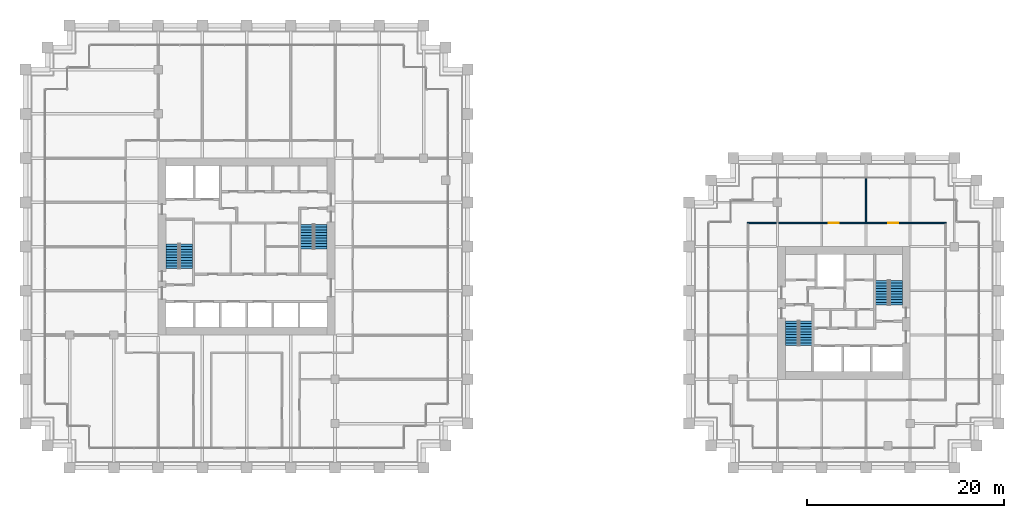
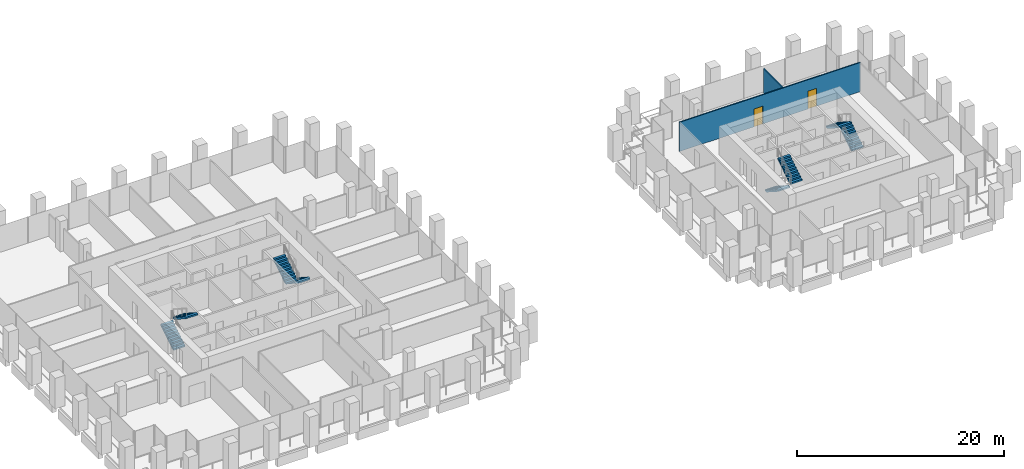
# One storey, part 54 of 56: 8 stair flights, 2 doors, 2 walls, 2 openings, 4 elements without a shape of their own.
"""IFC4 building model written with IfcOpenShell, lengths in metres."""

from ifc_helpers import new_model, si_unit, direction, frame, frame_2d, origin, place, context, subcontext, project, spatial, polyline, rectangle, outline, extrude, material, layer, layer_set, type_object, element, fill, aggregate, save


model = new_model("IFC4")

# Units and contexts
model_context = context("Model", 3, precision=1e-05, world=origin(), true_north=direction((0.0, 1.0)))
body_context = subcontext(model_context, "Body", "Model", "MODEL_VIEW")
ifc_project = project(units=[si_unit("LENGTHUNIT", "METRE"), si_unit("AREAUNIT", "SQUARE_METRE"), si_unit("VOLUMEUNIT", "CUBIC_METRE"), si_unit("PLANEANGLEUNIT", "RADIAN"), si_unit("MASSUNIT", "GRAM", prefix="KILO")], contexts=[model_context])

# Site, building, storey
site_placement = place(None, origin())
site = spatial("IfcSite", under=ifc_project, at=site_placement, CompositionType="ELEMENT")
building_placement = place(site_placement, origin())
building = spatial("IfcBuilding", under=site, at=building_placement, Name="Altepetl Exchange Towers", CompositionType="ELEMENT")
storey_placement = place(building_placement, frame((0.0, 0.0, 72.60009765625)))
storey = spatial("IfcBuildingStorey", under=building, at=storey_placement, Name="L17", CompositionType="ELEMENT", Elevation=72.60009765625)

# Wall, openings, doors
ifc_material_1 = material(Name="Gypsum board on steel studs", Category="steel")
ifc_layer = layer(ifc_material_1, 0.125)
ifc_layer_set = layer_set([ifc_layer], Name="Gypsum board on steel studs")
wall_type = type_object("IfcWallType", Name="Partition 125 gypsum board on steel studs", PredefinedType="PARTITIONING", material=ifc_layer_set)
wall_1_placement = place(storey_placement, frame((100.4375, 51.89990234375, 0.0)))
wall_1 = element("IfcWall", 1, at=wall_1_placement, inside=storey, type_object=wall_type, Name="wall:B:L17:P06", PredefinedType="PARTITIONING", context=body_context, shape_type="SweptSolid", body=[
    extrude(rectangle(XDim=20.22509765625, YDim=0.125, at=frame_2d((10.112548828125, 0.0))), origin(), (0.0, 0.0, 1.0), 3.449951171875),
])
opening_1_placement = place(wall_1_placement, frame((14.33251953125, 0.0, 0.0)))
opening_1 = element("IfcOpeningElement", 2, at=opening_1_placement, cuts=wall_1, Name="Opening L17.B05", PredefinedType="OPENING", context=body_context, shape_type="SweptSolid", body=[
    extrude(rectangle(XDim=1.0, YDim=2.10009765625, at=frame_2d((0.5, 1.050048828125))), frame((0.0, 0.072509765625, 0.0), z_axis=(0.0, -1.0, 0.0), x_axis=(1.0, 0.0, 0.0)), (0.0, 0.0, 1.0), 0.14501953125),
])
opening_2_placement = place(wall_1_placement, frame((8.305419921875, 0.0, 0.0)))
opening_2 = element("IfcOpeningElement", 3, at=opening_2_placement, cuts=wall_1, Name="Opening L17.B06", PredefinedType="OPENING", context=body_context, shape_type="SweptSolid", body=[
    extrude(rectangle(XDim=1.0, YDim=2.10009765625, at=frame_2d((0.5, 1.050048828125))), frame((0.0, 0.072509765625, 0.0), z_axis=(0.0, -1.0, 0.0), x_axis=(1.0, 0.0, 0.0)), (0.0, 0.0, 1.0), 0.14501953125),
])
ifc_material_2 = material(Name="Steel and timber fire door", Category="steel")
door_type = type_object("IfcDoorType", Name="Fire door 1000 x 2100 single leaf", OperationType="SINGLE_SWING_LEFT", PredefinedType="DOOR", material=ifc_material_2)
door_1_placement = place(opening_1_placement, frame((1.0, 0.0, 0.0), x_axis=(-1.0, 0.0, 0.0)))
door_1 = element("IfcDoor", 4, at=door_1_placement, inside=storey, type_object=door_type, Name="door:B:L17:05", OperationType="SINGLE_SWING_LEFT", OverallHeight=2.10009765625, OverallWidth=1.0, PredefinedType="DOOR", context=body_context, shape_type="SweptSolid", body=[
    extrude(rectangle(XDim=1.0, YDim=2.10009765625, at=frame_2d((0.5, 1.050048828125))), frame((0.0, 0.02490234375, 0.0), z_axis=(0.0, -1.0, 0.0), x_axis=(1.0, 0.0, 0.0)), (0.0, 0.0, 1.0), 0.050048828125),
])
fill(opening_1, door_1)
door_2_placement = place(opening_2_placement, origin())
door_2 = element("IfcDoor", 5, at=door_2_placement, inside=storey, type_object=door_type, Name="door:B:L17:06", OperationType="SINGLE_SWING_RIGHT", OverallHeight=2.10009765625, OverallWidth=1.0, PredefinedType="DOOR", context=body_context, shape_type="SweptSolid", body=[
    extrude(rectangle(XDim=1.0, YDim=2.10009765625, at=frame_2d((0.5, 1.050048828125))), frame((0.0, 0.02490234375, 0.0), z_axis=(0.0, -1.0, 0.0), x_axis=(1.0, 0.0, 0.0)), (0.0, 0.0, 1.0), 0.050048828125),
])
fill(opening_2, door_2)

# Wall
wall_2_placement = place(storey_placement, frame((112.5, 51.89990234375, 0.0), z_axis=(0.0, 0.0, 1.0), x_axis=(0.0, 1.0, 0.0)))
element("IfcWall", 6, at=wall_2_placement, inside=storey, type_object=wall_type, Name="wall:B:L17:P12", PredefinedType="PARTITIONING", context=body_context, shape_type="SweptSolid", body=[
    extrude(rectangle(XDim=4.5, YDim=0.125, at=frame_2d((2.25, 0.0))), origin(), (0.0, 0.0, 1.0), 2.850830078125),
])

# Stair, stair flights
ifc_material_3 = material(Name="Concrete C40/50", Category="concrete")
stair_type = type_object("IfcStairType", Name="Exit stair 1300 flights dogleg", PredefinedType="HALF_TURN_STAIR", material=ifc_material_3)
stair_1_placement = place(storey_placement, origin())
stair_1 = element("IfcStair", 7, at=stair_1_placement, inside=storey, type_object=stair_type, Name="Exit stair 1", PredefinedType="HALF_TURN_STAIR")
stair_flight_type = type_object("IfcStairFlightType", Name="Stair flight 1300 wide", PredefinedType="STRAIGHT", material=ifc_material_3)
stair_flight_1_placement = place(storey_placement, frame((41.949951171875, 47.25, 0.0), z_axis=(0.0, 0.0, 1.0), x_axis=(0.0, 1.0, 0.0)))
stair_flight_1 = element("IfcStairFlight", 8, at=stair_flight_1_placement, type_object=stair_flight_type, Name="ST-A1c flight 1", NumberOfRisers=10, NumberOfTreads=9, PredefinedType="STRAIGHT", RiserHeight=0.18, TreadLength=0.28, context=body_context, shape_type="SweptSolid", body=[
    extrude(outline(polyline([(0.0, 0.0), (0.0, 0.179931640625), (0.280029296875, 0.179931640625), (0.280029296875, 0.360107421875), (0.56005859375, 0.360107421875), (0.56005859375, 0.5400390625), (0.840087890625, 0.5400390625), (0.840087890625, 0.719970703125), (1.1201171875, 0.719970703125), (1.1201171875, 0.89990234375), (1.39990234375, 0.89990234375), (1.39990234375, 1.080078125), (1.679931640625, 1.080078125), (1.679931640625, 1.260009765625), (1.9599609375, 1.260009765625), (1.9599609375, 1.43994140625), (2.239990234375, 1.43994140625), (2.239990234375, 1.6201171875), (2.52001953125, 1.6201171875), (2.52001953125, 1.800048828125), (2.52001953125, 1.44189453125), (0.277099609375, 0.0), (0.0, 0.0)])), frame((0.0, 0.64990234375, 0.0), z_axis=(0.0, -1.0, 0.0), x_axis=(1.0, 0.0, 0.0)), (0.0, 0.0, 1.0), 1.300048828125),
])
stair_flight_2_placement = place(storey_placement, frame((43.35009765625, 49.77001953125, 1.7998046875), z_axis=(0.0, 0.0, 1.0), x_axis=(0.0, -1.0, 0.0)))
stair_flight_2 = element("IfcStairFlight", 9, at=stair_flight_2_placement, type_object=stair_flight_type, Name="ST-A1c flight 2", NumberOfRisers=10, NumberOfTreads=9, PredefinedType="STRAIGHT", RiserHeight=0.18, TreadLength=0.28, context=body_context, shape_type="SweptSolid", body=[
    extrude(outline(polyline([(0.0, 0.0), (0.0, 0.179931640625), (0.280029296875, 0.179931640625), (0.280029296875, 0.360107421875), (0.56005859375, 0.360107421875), (0.56005859375, 0.5400390625), (0.840087890625, 0.5400390625), (0.840087890625, 0.719970703125), (1.1201171875, 0.719970703125), (1.1201171875, 0.89990234375), (1.39990234375, 0.89990234375), (1.39990234375, 1.080078125), (1.679931640625, 1.080078125), (1.679931640625, 1.260009765625), (1.9599609375, 1.260009765625), (1.9599609375, 1.43994140625), (2.239990234375, 1.43994140625), (2.239990234375, 1.6201171875), (2.52001953125, 1.6201171875), (2.52001953125, 1.800048828125), (2.52001953125, 1.44189453125), (0.277099609375, 0.0), (0.0, 0.0)])), frame((0.0, 0.64990234375, 0.0), z_axis=(0.0, -1.0, 0.0), x_axis=(1.0, 0.0, 0.0)), (0.0, 0.0, 1.0), 1.300048828125),
])
aggregate(stair_1, [stair_flight_1, stair_flight_2])

stair_2_placement = place(storey_placement, origin())
stair_2 = element("IfcStair", 10, at=stair_2_placement, inside=storey, type_object=stair_type, Name="Exit stair 2", PredefinedType="HALF_TURN_STAIR")
stair_flight_3_placement = place(storey_placement, frame((57.050048828125, 51.75, 0.0), z_axis=(0.0, 0.0, 1.0), x_axis=(0.0, -1.0, 0.0)))
stair_flight_3 = element("IfcStairFlight", 11, at=stair_flight_3_placement, type_object=stair_flight_type, Name="ST-A2c flight 1", NumberOfRisers=10, NumberOfTreads=9, PredefinedType="STRAIGHT", RiserHeight=0.18, TreadLength=0.28, context=body_context, shape_type="SweptSolid", body=[
    extrude(outline(polyline([(0.0, 0.0), (0.0, 0.179931640625), (0.280029296875, 0.179931640625), (0.280029296875, 0.360107421875), (0.56005859375, 0.360107421875), (0.56005859375, 0.5400390625), (0.840087890625, 0.5400390625), (0.840087890625, 0.719970703125), (1.1201171875, 0.719970703125), (1.1201171875, 0.89990234375), (1.39990234375, 0.89990234375), (1.39990234375, 1.080078125), (1.679931640625, 1.080078125), (1.679931640625, 1.260009765625), (1.9599609375, 1.260009765625), (1.9599609375, 1.43994140625), (2.239990234375, 1.43994140625), (2.239990234375, 1.6201171875), (2.52001953125, 1.6201171875), (2.52001953125, 1.800048828125), (2.52001953125, 1.44189453125), (0.277099609375, 0.0), (0.0, 0.0)])), frame((0.0, 0.64990234375, 0.0), z_axis=(0.0, -1.0, 0.0), x_axis=(1.0, 0.0, 0.0)), (0.0, 0.0, 1.0), 1.300048828125),
])
stair_flight_4_placement = place(storey_placement, frame((55.64990234375, 49.22998046875, 1.7998046875), z_axis=(0.0, 0.0, 1.0), x_axis=(0.0, 1.0, 0.0)))
stair_flight_4 = element("IfcStairFlight", 12, at=stair_flight_4_placement, type_object=stair_flight_type, Name="ST-A2c flight 2", NumberOfRisers=10, NumberOfTreads=9, PredefinedType="STRAIGHT", RiserHeight=0.18, TreadLength=0.28, context=body_context, shape_type="SweptSolid", body=[
    extrude(outline(polyline([(0.0, 0.0), (0.0, 0.179931640625), (0.280029296875, 0.179931640625), (0.280029296875, 0.360107421875), (0.56005859375, 0.360107421875), (0.56005859375, 0.5400390625), (0.840087890625, 0.5400390625), (0.840087890625, 0.719970703125), (1.1201171875, 0.719970703125), (1.1201171875, 0.89990234375), (1.39990234375, 0.89990234375), (1.39990234375, 1.080078125), (1.679931640625, 1.080078125), (1.679931640625, 1.260009765625), (1.9599609375, 1.260009765625), (1.9599609375, 1.43994140625), (2.239990234375, 1.43994140625), (2.239990234375, 1.6201171875), (2.52001953125, 1.6201171875), (2.52001953125, 1.800048828125), (2.52001953125, 1.44189453125), (0.277099609375, 0.0), (0.0, 0.0)])), frame((0.0, 0.64990234375, 0.0), z_axis=(0.0, -1.0, 0.0), x_axis=(1.0, 0.0, 0.0)), (0.0, 0.0, 1.0), 1.300048828125),
])
aggregate(stair_2, [stair_flight_3, stair_flight_4])

stair_3_placement = place(storey_placement, origin())
stair_3 = element("IfcStair", 13, at=stair_3_placement, inside=storey, type_object=stair_type, Name="Exit stair 1", PredefinedType="HALF_TURN_STAIR")
stair_flight_5_placement = place(storey_placement, frame((104.949951171875, 41.949951171875, 0.0), z_axis=(0.0, 0.0, 1.0), x_axis=(0.0, -1.0, 0.0)))
stair_flight_5 = element("IfcStairFlight", 14, at=stair_flight_5_placement, type_object=stair_flight_type, Name="ST-B1c flight 1", NumberOfRisers=10, NumberOfTreads=9, PredefinedType="STRAIGHT", RiserHeight=0.18, TreadLength=0.28, context=body_context, shape_type="SweptSolid", body=[
    extrude(outline(polyline([(0.0, 0.0), (0.0, 0.179931640625), (0.280029296875, 0.179931640625), (0.280029296875, 0.360107421875), (0.56005859375, 0.360107421875), (0.56005859375, 0.5400390625), (0.840087890625, 0.5400390625), (0.840087890625, 0.719970703125), (1.1201171875, 0.719970703125), (1.1201171875, 0.89990234375), (1.39990234375, 0.89990234375), (1.39990234375, 1.080078125), (1.679931640625, 1.080078125), (1.679931640625, 1.260009765625), (1.9599609375, 1.260009765625), (1.9599609375, 1.43994140625), (2.239990234375, 1.43994140625), (2.239990234375, 1.6201171875), (2.52001953125, 1.6201171875), (2.52001953125, 1.800048828125), (2.52001953125, 1.44189453125), (0.277099609375, 0.0), (0.0, 0.0)])), frame((0.0, 0.64990234375, 0.0), z_axis=(0.0, -1.0, 0.0), x_axis=(1.0, 0.0, 0.0)), (0.0, 0.0, 1.0), 1.300048828125),
])
stair_flight_6_placement = place(storey_placement, frame((106.35009765625, 39.429931640625, 1.7998046875), z_axis=(0.0, 0.0, 1.0), x_axis=(0.0, 1.0, 0.0)))
stair_flight_6 = element("IfcStairFlight", 15, at=stair_flight_6_placement, type_object=stair_flight_type, Name="ST-B1c flight 2", NumberOfRisers=10, NumberOfTreads=9, PredefinedType="STRAIGHT", RiserHeight=0.18, TreadLength=0.28, context=body_context, shape_type="SweptSolid", body=[
    extrude(outline(polyline([(0.0, 0.0), (0.0, 0.179931640625), (0.280029296875, 0.179931640625), (0.280029296875, 0.360107421875), (0.56005859375, 0.360107421875), (0.56005859375, 0.5400390625), (0.840087890625, 0.5400390625), (0.840087890625, 0.719970703125), (1.1201171875, 0.719970703125), (1.1201171875, 0.89990234375), (1.39990234375, 0.89990234375), (1.39990234375, 1.080078125), (1.679931640625, 1.080078125), (1.679931640625, 1.260009765625), (1.9599609375, 1.260009765625), (1.9599609375, 1.43994140625), (2.239990234375, 1.43994140625), (2.239990234375, 1.6201171875), (2.52001953125, 1.6201171875), (2.52001953125, 1.800048828125), (2.52001953125, 1.44189453125), (0.277099609375, 0.0), (0.0, 0.0)])), frame((0.0, 0.64990234375, 0.0), z_axis=(0.0, -1.0, 0.0), x_axis=(1.0, 0.0, 0.0)), (0.0, 0.0, 1.0), 1.300048828125),
])
aggregate(stair_3, [stair_flight_5, stair_flight_6])

stair_4_placement = place(storey_placement, origin())
stair_4 = element("IfcStair", 16, at=stair_4_placement, inside=storey, type_object=stair_type, Name="Exit stair 2", PredefinedType="HALF_TURN_STAIR")
stair_flight_7_placement = place(storey_placement, frame((115.550048828125, 43.550048828125, 0.0), z_axis=(0.0, 0.0, 1.0), x_axis=(0.0, 1.0, 0.0)))
stair_flight_7 = element("IfcStairFlight", 17, at=stair_flight_7_placement, type_object=stair_flight_type, Name="ST-B2c flight 1", NumberOfRisers=10, NumberOfTreads=9, PredefinedType="STRAIGHT", RiserHeight=0.18, TreadLength=0.28, context=body_context, shape_type="SweptSolid", body=[
    extrude(outline(polyline([(0.0, 0.0), (0.0, 0.179931640625), (0.280029296875, 0.179931640625), (0.280029296875, 0.360107421875), (0.56005859375, 0.360107421875), (0.56005859375, 0.5400390625), (0.840087890625, 0.5400390625), (0.840087890625, 0.719970703125), (1.1201171875, 0.719970703125), (1.1201171875, 0.89990234375), (1.39990234375, 0.89990234375), (1.39990234375, 1.080078125), (1.679931640625, 1.080078125), (1.679931640625, 1.260009765625), (1.9599609375, 1.260009765625), (1.9599609375, 1.43994140625), (2.239990234375, 1.43994140625), (2.239990234375, 1.6201171875), (2.52001953125, 1.6201171875), (2.52001953125, 1.800048828125), (2.52001953125, 1.44189453125), (0.277099609375, 0.0), (0.0, 0.0)])), frame((0.0, 0.64990234375, 0.0), z_axis=(0.0, -1.0, 0.0), x_axis=(1.0, 0.0, 0.0)), (0.0, 0.0, 1.0), 1.300048828125),
])
stair_flight_8_placement = place(storey_placement, frame((114.14990234375, 46.070068359375, 1.7998046875), z_axis=(0.0, 0.0, 1.0), x_axis=(0.0, -1.0, 0.0)))
stair_flight_8 = element("IfcStairFlight", 18, at=stair_flight_8_placement, type_object=stair_flight_type, Name="ST-B2c flight 2", NumberOfRisers=10, NumberOfTreads=9, PredefinedType="STRAIGHT", RiserHeight=0.18, TreadLength=0.28, context=body_context, shape_type="SweptSolid", body=[
    extrude(outline(polyline([(0.0, 0.0), (0.0, 0.179931640625), (0.280029296875, 0.179931640625), (0.280029296875, 0.360107421875), (0.56005859375, 0.360107421875), (0.56005859375, 0.5400390625), (0.840087890625, 0.5400390625), (0.840087890625, 0.719970703125), (1.1201171875, 0.719970703125), (1.1201171875, 0.89990234375), (1.39990234375, 0.89990234375), (1.39990234375, 1.080078125), (1.679931640625, 1.080078125), (1.679931640625, 1.260009765625), (1.9599609375, 1.260009765625), (1.9599609375, 1.43994140625), (2.239990234375, 1.43994140625), (2.239990234375, 1.6201171875), (2.52001953125, 1.6201171875), (2.52001953125, 1.800048828125), (2.52001953125, 1.44189453125), (0.277099609375, 0.0), (0.0, 0.0)])), frame((0.0, 0.64990234375, 0.0), z_axis=(0.0, -1.0, 0.0), x_axis=(1.0, 0.0, 0.0)), (0.0, 0.0, 1.0), 1.300048828125),
])
aggregate(stair_4, [stair_flight_7, stair_flight_8])

save(model, "model.ifc")
